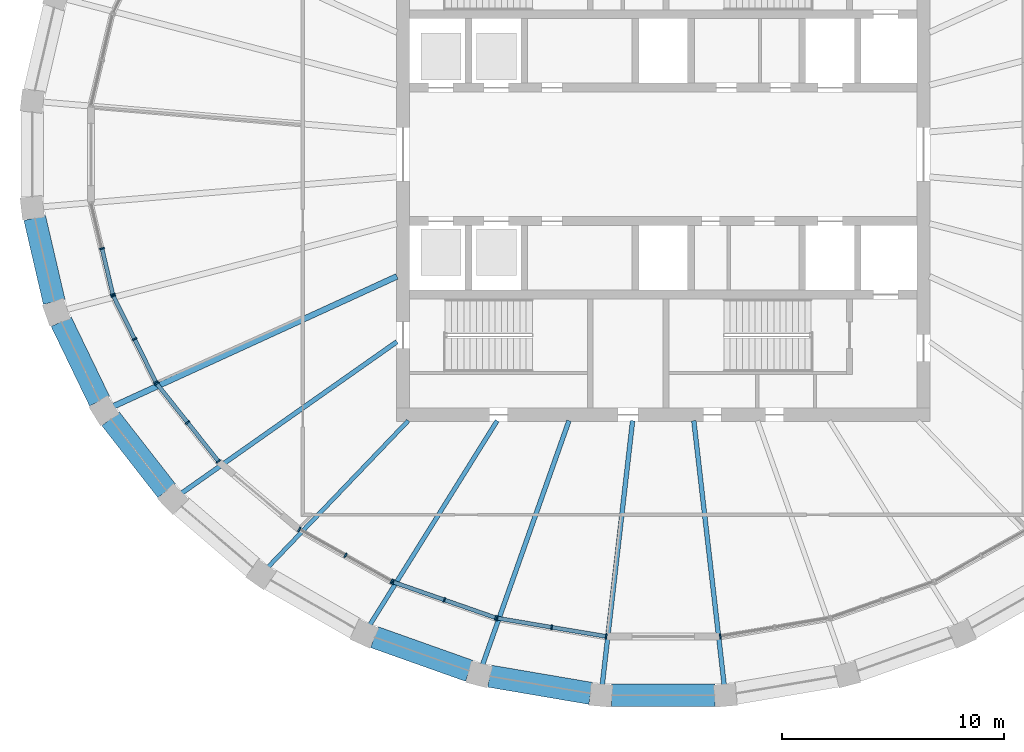
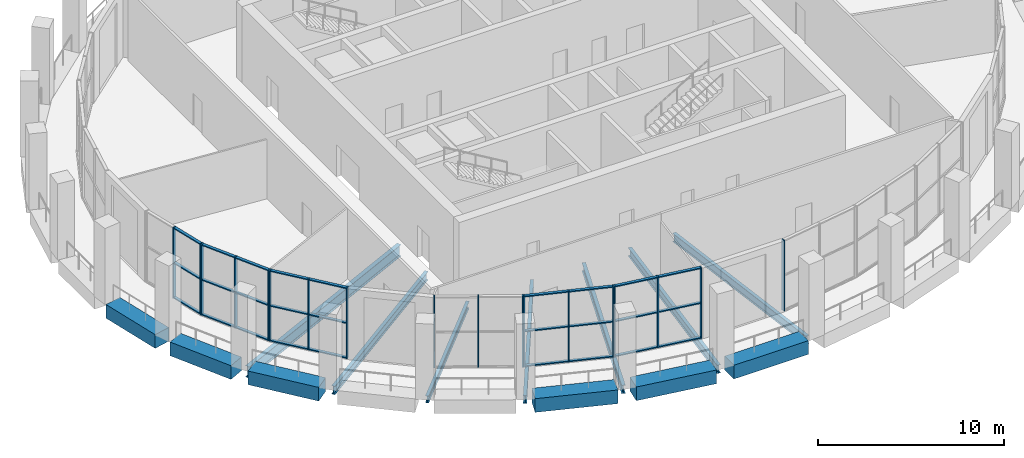
# One storey, part 2 of 16: 45 members, 13 beams, 7 elements without a shape of their own.
"""IFC4 building model written with IfcOpenShell, lengths in metres."""

from ifc_helpers import new_model, si_unit, direction, frame, origin, origin_2d, place, context, subcontext, project, spatial, rectangle, i_section, extrude, material, material_profile, profile_set, type_object, element, aggregate, save


model = new_model("IFC4")

# Units and contexts
model_context = context("Model", 3, precision=1e-05, world=origin(), true_north=direction((0.0, 1.0)))
body_context = subcontext(model_context, "Body", "Model", "MODEL_VIEW")
ifc_project = project(units=[si_unit("LENGTHUNIT", "METRE"), si_unit("AREAUNIT", "SQUARE_METRE"), si_unit("VOLUMEUNIT", "CUBIC_METRE"), si_unit("PLANEANGLEUNIT", "RADIAN"), si_unit("MASSUNIT", "GRAM", prefix="KILO")], contexts=[model_context])

# Site, building, storey
site_placement = place(None, origin())
site = spatial("IfcSite", under=ifc_project, at=site_placement, CompositionType="ELEMENT")
building_placement = place(site_placement, origin())
building = spatial("IfcBuilding", under=site, at=building_placement, Name="Halqa Exchange Tower", CompositionType="ELEMENT")
storey_placement = place(building_placement, frame((0.0, 0.0, 333.300048828125)))
storey = spatial("IfcBuildingStorey", under=building, at=storey_placement, Name="L78", CompositionType="ELEMENT", Elevation=333.300048828125)

# Beams
ifc_material_1 = material(Name="Steel S355", Category="steel")
ifc_material_profile_1 = material_profile(ifc_material_1, i_section(OverallWidth=0.18994140625, OverallDepth=0.449951171875, WebThickness=0.009521484375, FlangeThickness=0.0146484375, FilletRadius=0.02099609375, at=origin_2d()), Name="IPE 450")
ifc_profile_set_1 = profile_set([ifc_material_profile_1], Name="Steel S355")
beam_type_1 = type_object("IfcBeamType", Name="Floor beam IPE 450", PredefinedType="BEAM", material=ifc_profile_set_1)
beam_1_placement = place(storey_placement, frame((-11.462890625, -11.97216796875, -0.574951171875), z_axis=(-0.6915759213, -0.722303776175, 0.0), x_axis=(0.722303776175, -0.6915759213, 0.0)))
element("IfcBeam", 1, at=beam_1_placement, inside=storey, type_object=beam_type_1, Name="Radial beam 21", PredefinedType="BEAM", context=body_context, shape_type="SweptSolid", body=[
    extrude(i_section(OverallWidth=0.18994140625, OverallDepth=0.449951171875, WebThickness=0.009521484375, FlangeThickness=0.0146484375, FilletRadius=0.02099609375, at=origin_2d()), origin(), (0.0, 0.0, 1.0), 9.192626953125),
])
ifc_material_profile_2 = material_profile(ifc_material_1, i_section(OverallWidth=0.199951171875, OverallDepth=0.5, WebThickness=0.01025390625, FlangeThickness=0.01611328125, FilletRadius=0.02099609375, at=origin_2d()), Name="IPE 500")
ifc_profile_set_2 = profile_set([ifc_material_profile_2], Name="Steel S355")
beam_type_2 = type_object("IfcBeamType", Name="Floor beam IPE 500", PredefinedType="BEAM", material=ifc_profile_set_2)
beam_2_placement = place(storey_placement, frame((-7.4658203125, -11.97216796875, -0.60009765625), z_axis=(-0.529137326003, -0.848536204431, 0.0), x_axis=(0.848536204431, -0.529137326003, 0.0)))
element("IfcBeam", 2, at=beam_2_placement, inside=storey, type_object=beam_type_2, Name="Radial beam 22", PredefinedType="BEAM", context=body_context, shape_type="SweptSolid", body=[
    extrude(i_section(OverallWidth=0.199951171875, OverallDepth=0.5, WebThickness=0.01025390625, FlangeThickness=0.01611328125, FilletRadius=0.02099609375, at=origin_2d()), origin(), (0.0, 0.0, 1.0), 10.904541015625),
])
ifc_material_profile_3 = material_profile(ifc_material_1, i_section(OverallWidth=0.2099609375, OverallDepth=0.550048828125, WebThickness=0.010986328125, FlangeThickness=0.01708984375, FilletRadius=0.02392578125, at=origin_2d()), Name="IPE 550")
ifc_profile_set_3 = profile_set([ifc_material_profile_3], Name="Steel S355")
beam_type_3 = type_object("IfcBeamType", Name="Floor beam IPE 550", PredefinedType="BEAM", material=ifc_profile_set_3)
beam_3_placement = place(storey_placement, frame((-11.97265625, -8.422119140625, -0.625), z_axis=(-0.817914568296, -0.57533969007, 0.0), x_axis=(0.57533969007, -0.817914568296, 0.0)))
element("IfcBeam", 3, at=beam_3_placement, inside=storey, type_object=beam_type_3, Name="Radial beam 20", PredefinedType="BEAM", context=body_context, shape_type="SweptSolid", body=[
    extrude(i_section(OverallWidth=0.2099609375, OverallDepth=0.550048828125, WebThickness=0.010986328125, FlangeThickness=0.01708984375, FilletRadius=0.02392578125, at=origin_2d()), origin(), (0.0, 0.0, 1.0), 11.92138671875),
])
beam_4_placement = place(storey_placement, frame((-4.23681640625, -11.971923828125, -0.625), z_axis=(-0.333622781905, -0.942706656067, 0.0), x_axis=(0.942706656067, -0.333622781905, 0.0)))
element("IfcBeam", 4, at=beam_4_placement, inside=storey, type_object=beam_type_3, Name="Radial beam 23", PredefinedType="BEAM", context=body_context, shape_type="SweptSolid", body=[
    extrude(i_section(OverallWidth=0.2099609375, OverallDepth=0.550048828125, WebThickness=0.010986328125, FlangeThickness=0.01708984375, FilletRadius=0.02392578125, at=origin_2d()), origin(), (0.0, 0.0, 1.0), 11.723876953125),
])
for number, where, z_axis, x_axis, name in (
    (5, (-1.37548828125, -11.9716796875, -0.625), (-0.114162628095, -0.993462074941, 0.0), (0.993462074941, -0.114162628095, 0.0), "Radial beam 24"),
    (6, (1.37548828125, -11.9716796875, -0.625), (0.114162628095, -0.993462074941, 0.0), (0.993462074941, 0.114162628095, 0.0), "Radial beam 25"),
):
    element("IfcBeam", number, at=place(storey_placement, frame(where, z_axis=z_axis, x_axis=x_axis)), inside=storey, type_object=beam_type_3, Name=name, PredefinedType="BEAM", context=body_context, shape_type="SweptSolid", body=[
        extrude(i_section(OverallWidth=0.2099609375, OverallDepth=0.550048828125, WebThickness=0.010986328125, FlangeThickness=0.01708984375, FilletRadius=0.02392578125, at=origin_2d()), origin(), (0.0, 0.0, 1.0), 12.048583984375),
    ])
ifc_material_profile_4 = material_profile(ifc_material_1, i_section(OverallWidth=0.264892578125, OverallDepth=0.7529296875, WebThickness=0.01318359375, FlangeThickness=0.01708984375, FilletRadius=0.01708984375, at=origin_2d()), Name="IPE 750x147")
ifc_profile_set_4 = profile_set([ifc_material_profile_4], Name="Steel S355")
beam_type_4 = type_object("IfcBeamType", Name="Floor beam IPE 750x147", PredefinedType="BEAM", material=ifc_profile_set_4)
beam_5_placement = place(storey_placement, frame((-11.972412109375, -5.485107421875, -0.7265625), z_axis=(-0.909126834486, -0.416519385884, 0.0), x_axis=(0.416519385884, -0.909126834486, 0.0)))
element("IfcBeam", 7, at=beam_5_placement, inside=storey, type_object=beam_type_4, Name="Radial beam 19", PredefinedType="BEAM", context=body_context, shape_type="SweptSolid", body=[
    extrude(i_section(OverallWidth=0.264892578125, OverallDepth=0.7529296875, WebThickness=0.01318359375, FlangeThickness=0.01708984375, FilletRadius=0.01708984375, at=origin_2d()), origin(), (0.0, 0.0, 1.0), 14.10205078125),
])
ifc_material_2 = material(Name="Concrete C60/75", Category="concrete")
ifc_material_profile_5 = material_profile(ifc_material_2, rectangle(XDim=1.0, YDim=0.89990234375, at=origin_2d()), Name="1000 x 900")
ifc_profile_set_5 = profile_set([ifc_material_profile_5], Name="Concrete C60/75")
beam_type_5 = type_object("IfcBeamType", Name="RC spandrel beam 1000 x 900 C60/75", PredefinedType="SPANDREL", material=ifc_profile_set_5)
beam_6_placement = place(storey_placement, frame((-28.25537109375, -2.857177734375, -0.449951171875), z_axis=(0.226093384766, -0.974105631523, 0.0), x_axis=(0.974105631523, 0.226093384766, 0.0)))
element("IfcBeam", 8, at=beam_6_placement, inside=storey, type_object=beam_type_5, Name="Spandrel 17", PredefinedType="SPANDREL", context=body_context, shape_type="SweptSolid", body=[
    extrude(rectangle(XDim=1.0, YDim=0.89990234375, at=origin_2d()), origin(), (0.0, 0.0, 1.0), 3.872314453125),
])
beam_7_placement = place(storey_placement, frame((-27.06591796875, -7.519287109375, -0.449951171875), z_axis=(0.43505216676, -0.900405248873, 0.0), x_axis=(0.900405248873, 0.43505216676, 0.0)))
element("IfcBeam", 9, at=beam_7_placement, inside=storey, type_object=beam_type_5, Name="Spandrel 18", PredefinedType="SPANDREL", context=body_context, shape_type="SweptSolid", body=[
    extrude(rectangle(XDim=1.0, YDim=0.89990234375, at=origin_2d()), origin(), (0.0, 0.0, 1.0), 3.964111328125),
])
beam_8_placement = place(storey_placement, frame((-24.8427734375, -11.89013671875, -0.449951171875), z_axis=(0.61480594236, -0.788678421943, 0.0), x_axis=(0.788678421943, 0.61480594236, 0.0)))
element("IfcBeam", 10, at=beam_8_placement, inside=storey, type_object=beam_type_5, Name="Spandrel 19", PredefinedType="SPANDREL", context=body_context, shape_type="SweptSolid", body=[
    extrude(rectangle(XDim=1.0, YDim=0.89990234375, at=origin_2d()), origin(), (0.0, 0.0, 1.0), 4.10009765625),
])
beam_9_placement = place(storey_placement, frame((-12.98828125, -21.70263671875, -0.449951171875), z_axis=(0.94236088808, -0.334598201755, 0.0), x_axis=(0.334598201755, 0.94236088808, 0.0)))
element("IfcBeam", 11, at=beam_9_placement, inside=storey, type_object=beam_type_5, Name="Spandrel 22", PredefinedType="SPANDREL", context=body_context, shape_type="SweptSolid", body=[
    extrude(rectangle(XDim=1.0, YDim=0.89990234375, at=origin_2d()), origin(), (0.0, 0.0, 1.0), 4.530517578125),
])
beam_10_placement = place(storey_placement, frame((-7.805419921875, -23.456298828125, -0.449951171875), z_axis=(0.985773042695, -0.168081849987, 0.0), x_axis=(0.168081849987, 0.985773042695, 0.0)))
element("IfcBeam", 12, at=beam_10_placement, inside=storey, type_object=beam_type_5, Name="Spandrel 23", PredefinedType="SPANDREL", context=body_context, shape_type="SweptSolid", body=[
    extrude(rectangle(XDim=1.0, YDim=0.89990234375, at=origin_2d()), origin(), (0.0, 0.0, 1.0), 4.6103515625),
])
beam_11_placement = place(storey_placement, frame((-2.319580078125, -24.31103515625, -0.449951171875), z_axis=(1.0, 0.0, 0.0), x_axis=(0.0, 1.0, 0.0)))
element("IfcBeam", 13, at=beam_11_placement, inside=storey, type_object=beam_type_5, Name="Spandrel 24", PredefinedType="SPANDREL", context=body_context, shape_type="SweptSolid", body=[
    extrude(rectangle(XDim=1.0, YDim=0.89990234375, at=origin_2d()), origin(), (0.0, 0.0, 1.0), 4.63916015625),
])

# Curtain wall, members
ifc_material_3 = material(Name="Anodised aluminium and clear glass", Category="aluminium")
curtain_wall_type = type_object("IfcCurtainWallType", Name="Sky lobby glazing", PredefinedType="NOTDEFINED", material=ifc_material_3)
curtain_wall_1_placement = place(storey_placement, origin())
curtain_wall_1 = element("IfcCurtainWall", 14, at=curtain_wall_1_placement, inside=storey, type_object=curtain_wall_type, Name="Sky lobby glazing run G17", PredefinedType="NOTDEFINED")
ifc_material_4 = material(Name="Anodised aluminium", Category="aluminium")
ifc_material_profile_6 = material_profile(ifc_material_4, rectangle(XDim=0.219970703125, YDim=0.070068359375, at=origin_2d()), Name="AL 70x220")
ifc_profile_set_6 = profile_set([ifc_material_profile_6], Name="Anodised aluminium")
member_type_1 = type_object("IfcMemberType", Name="Sky lobby glazing mullion 70 x 220", PredefinedType="MULLION", material=ifc_profile_set_6)
member_1_placement = place(storey_placement, frame((-25.23095703125, -4.2333984375, 0.0), z_axis=(0.0, 0.0, 1.0), x_axis=(0.97319169906, 0.229995471437, 0.0)))
member_1 = element("IfcMember", 15, at=member_1_placement, type_object=member_type_1, Name="G17 mullion 2", PredefinedType="MULLION", context=body_context, shape_type="SweptSolid", body=[
    extrude(rectangle(XDim=0.219970703125, YDim=0.070068359375, at=origin_2d()), origin(), (0.0, 0.0, 1.0), 4.64990234375),
])
member_2_placement = place(storey_placement, frame((-24.74365234375, -6.29541015625, 0.0), z_axis=(0.0, 0.0, 1.0), x_axis=(0.97319169906, 0.229995471437, 0.0)))
member_2 = element("IfcMember", 16, at=member_2_placement, type_object=member_type_1, Name="G17 mullion 3", PredefinedType="MULLION", context=body_context, shape_type="SweptSolid", body=[
    extrude(rectangle(XDim=0.219970703125, YDim=0.070068359375, at=origin_2d()), origin(), (0.0, 0.0, 1.0), 4.64990234375),
])

curtain_wall_2_placement = place(storey_placement, origin())
curtain_wall_2 = element("IfcCurtainWall", 17, at=curtain_wall_2_placement, inside=storey, type_object=curtain_wall_type, Name="Sky lobby glazing run G18", PredefinedType="NOTDEFINED")
member_3_placement = place(storey_placement, frame((-24.719970703125, -6.36083984375, 0.0), z_axis=(0.0, 0.0, 1.0), x_axis=(0.897214741349, 0.441594506199, 0.0)))
member_3 = element("IfcMember", 18, at=member_3_placement, type_object=member_type_1, Name="G18 mullion 1", PredefinedType="MULLION", context=body_context, shape_type="SweptSolid", body=[
    extrude(rectangle(XDim=0.219970703125, YDim=0.070068359375, at=origin_2d()), origin(), (0.0, 0.0, 1.0), 4.64990234375),
])
member_4_placement = place(storey_placement, frame((-23.76416015625, -8.302978515625, 0.0), z_axis=(0.0, 0.0, 1.0), x_axis=(0.897214741349, 0.441594506199, 0.0)))
member_4 = element("IfcMember", 19, at=member_4_placement, type_object=member_type_1, Name="G18 mullion 2", PredefinedType="MULLION", context=body_context, shape_type="SweptSolid", body=[
    extrude(rectangle(XDim=0.219970703125, YDim=0.070068359375, at=origin_2d()), origin(), (0.0, 0.0, 1.0), 4.64990234375),
])
member_5_placement = place(storey_placement, frame((-22.808349609375, -10.2451171875, 0.0), z_axis=(0.0, 0.0, 1.0), x_axis=(0.897214741349, 0.441594506199, 0.0)))
member_5 = element("IfcMember", 20, at=member_5_placement, type_object=member_type_1, Name="G18 mullion 3", PredefinedType="MULLION", context=body_context, shape_type="SweptSolid", body=[
    extrude(rectangle(XDim=0.219970703125, YDim=0.070068359375, at=origin_2d()), origin(), (0.0, 0.0, 1.0), 4.64990234375),
])

curtain_wall_3_placement = place(storey_placement, origin())
curtain_wall_3 = element("IfcCurtainWall", 21, at=curtain_wall_3_placement, inside=storey, type_object=curtain_wall_type, Name="Sky lobby glazing run G19", PredefinedType="NOTDEFINED")
member_6_placement = place(storey_placement, frame((-22.771240234375, -10.3037109375, 0.0), z_axis=(0.0, 0.0, 1.0), x_axis=(0.783162355834, 0.621817275737, 0.0)))
member_6 = element("IfcMember", 22, at=member_6_placement, type_object=member_type_1, Name="G19 mullion 1", PredefinedType="MULLION", context=body_context, shape_type="SweptSolid", body=[
    extrude(rectangle(XDim=0.219970703125, YDim=0.070068359375, at=origin_2d()), origin(), (0.0, 0.0, 1.0), 4.64990234375),
])
member_7_placement = place(storey_placement, frame((-21.3837890625, -12.05126953125, 0.0), z_axis=(0.0, 0.0, 1.0), x_axis=(0.783162355834, 0.621817275737, 0.0)))
member_7 = element("IfcMember", 23, at=member_7_placement, type_object=member_type_1, Name="G19 mullion 2", PredefinedType="MULLION", context=body_context, shape_type="SweptSolid", body=[
    extrude(rectangle(XDim=0.219970703125, YDim=0.070068359375, at=origin_2d()), origin(), (0.0, 0.0, 1.0), 4.64990234375),
])
member_8_placement = place(storey_placement, frame((-19.996337890625, -13.798583984375, 0.0), z_axis=(0.0, 0.0, 1.0), x_axis=(0.783162355834, 0.621817275737, 0.0)))
member_8 = element("IfcMember", 24, at=member_8_placement, type_object=member_type_1, Name="G19 mullion 3", PredefinedType="MULLION", context=body_context, shape_type="SweptSolid", body=[
    extrude(rectangle(XDim=0.219970703125, YDim=0.070068359375, at=origin_2d()), origin(), (0.0, 0.0, 1.0), 4.64990234375),
])

curtain_wall_4_placement = place(storey_placement, origin())
curtain_wall_4 = element("IfcCurtainWall", 25, at=curtain_wall_4_placement, inside=storey, type_object=curtain_wall_type, Name="Sky lobby glazing run G21", PredefinedType="NOTDEFINED")
member_9_placement = place(storey_placement, frame((-16.359130859375, -16.860107421875, 0.0), z_axis=(0.0, 0.0, 1.0), x_axis=(0.490158094997, 0.871633547948, 0.0)))
member_9 = element("IfcMember", 26, at=member_9_placement, type_object=member_type_1, Name="G21 mullion 1", PredefinedType="MULLION", context=body_context, shape_type="SweptSolid", body=[
    extrude(rectangle(XDim=0.219970703125, YDim=0.070068359375, at=origin_2d()), origin(), (0.0, 0.0, 1.0), 4.64990234375),
])
member_10_placement = place(storey_placement, frame((-14.283203125, -18.02734375, 0.0), z_axis=(0.0, 0.0, 1.0), x_axis=(0.490158094997, 0.871633547948, 0.0)))
member_10 = element("IfcMember", 27, at=member_10_placement, type_object=member_type_1, Name="G21 mullion 2", PredefinedType="MULLION", context=body_context, shape_type="SweptSolid", body=[
    extrude(rectangle(XDim=0.219970703125, YDim=0.070068359375, at=origin_2d()), origin(), (0.0, 0.0, 1.0), 4.64990234375),
])
member_11_placement = place(storey_placement, frame((-12.207275390625, -19.19482421875, 0.0), z_axis=(0.0, 0.0, 1.0), x_axis=(0.490158094997, 0.871633547948, 0.0)))
member_11 = element("IfcMember", 28, at=member_11_placement, type_object=member_type_1, Name="G21 mullion 3", PredefinedType="MULLION", context=body_context, shape_type="SweptSolid", body=[
    extrude(rectangle(XDim=0.219970703125, YDim=0.070068359375, at=origin_2d()), origin(), (0.0, 0.0, 1.0), 4.64990234375),
])
aggregate(curtain_wall_4, [member_9, member_10, member_11])

curtain_wall_5_placement = place(storey_placement, origin())
curtain_wall_5 = element("IfcCurtainWall", 29, at=curtain_wall_5_placement, inside=storey, type_object=curtain_wall_type, Name="Sky lobby glazing run G22", PredefinedType="NOTDEFINED")
member_12_placement = place(storey_placement, frame((-12.143798828125, -19.2236328125, 0.0), z_axis=(0.0, 0.0, 1.0), x_axis=(0.329160021888, 0.9442741551, 0.0)))
member_12 = element("IfcMember", 30, at=member_12_placement, type_object=member_type_1, Name="G22 mullion 1", PredefinedType="MULLION", context=body_context, shape_type="SweptSolid", body=[
    extrude(rectangle(XDim=0.219970703125, YDim=0.070068359375, at=origin_2d()), origin(), (0.0, 0.0, 1.0), 4.64990234375),
])
member_13_placement = place(storey_placement, frame((-9.837158203125, -20.027587890625, 0.0), z_axis=(0.0, 0.0, 1.0), x_axis=(0.329160021888, 0.9442741551, 0.0)))
member_13 = element("IfcMember", 31, at=member_13_placement, type_object=member_type_1, Name="G22 mullion 2", PredefinedType="MULLION", context=body_context, shape_type="SweptSolid", body=[
    extrude(rectangle(XDim=0.219970703125, YDim=0.070068359375, at=origin_2d()), origin(), (0.0, 0.0, 1.0), 4.64990234375),
])
member_14_placement = place(storey_placement, frame((-7.53076171875, -20.83154296875, 0.0), z_axis=(0.0, 0.0, 1.0), x_axis=(0.329160021888, 0.9442741551, 0.0)))
member_14 = element("IfcMember", 32, at=member_14_placement, type_object=member_type_1, Name="G22 mullion 3", PredefinedType="MULLION", context=body_context, shape_type="SweptSolid", body=[
    extrude(rectangle(XDim=0.219970703125, YDim=0.070068359375, at=origin_2d()), origin(), (0.0, 0.0, 1.0), 4.64990234375),
])

curtain_wall_6_placement = place(storey_placement, origin())
curtain_wall_6 = element("IfcCurtainWall", 33, at=curtain_wall_6_placement, inside=storey, type_object=curtain_wall_type, Name="Sky lobby glazing run G23", PredefinedType="NOTDEFINED")
member_15_placement = place(storey_placement, frame((-7.463134765625, -20.848876953125, 0.0), z_axis=(0.0, 0.0, 1.0), x_axis=(0.165117129007, 0.986273964834, 0.0)))
member_15 = element("IfcMember", 34, at=member_15_placement, type_object=member_type_1, Name="G23 mullion 1", PredefinedType="MULLION", context=body_context, shape_type="SweptSolid", body=[
    extrude(rectangle(XDim=0.219970703125, YDim=0.070068359375, at=origin_2d()), origin(), (0.0, 0.0, 1.0), 4.64990234375),
])
member_16_placement = place(storey_placement, frame((-5.0146484375, -21.2587890625, 0.0), z_axis=(0.0, 0.0, 1.0), x_axis=(0.165117129007, 0.986273964834, 0.0)))
member_16 = element("IfcMember", 35, at=member_16_placement, type_object=member_type_1, Name="G23 mullion 2", PredefinedType="MULLION", context=body_context, shape_type="SweptSolid", body=[
    extrude(rectangle(XDim=0.219970703125, YDim=0.070068359375, at=origin_2d()), origin(), (0.0, 0.0, 1.0), 4.64990234375),
])
member_17_placement = place(storey_placement, frame((-2.56591796875, -21.668701171875, 0.0), z_axis=(0.0, 0.0, 1.0), x_axis=(0.165117129007, 0.986273964834, 0.0)))
member_17 = element("IfcMember", 36, at=member_17_placement, type_object=member_type_1, Name="G23 mullion 3", PredefinedType="MULLION", context=body_context, shape_type="SweptSolid", body=[
    extrude(rectangle(XDim=0.219970703125, YDim=0.070068359375, at=origin_2d()), origin(), (0.0, 0.0, 1.0), 4.64990234375),
])

# Curtain wall, member
curtain_wall_7_placement = place(storey_placement, origin())
curtain_wall_7 = element("IfcCurtainWall", 37, at=curtain_wall_7_placement, inside=storey, type_object=curtain_wall_type, Name="Sky lobby glazing run G25", PredefinedType="NOTDEFINED")
member_18_placement = place(storey_placement, frame((2.56591796875, -21.668701171875, 0.0), z_axis=(0.0, 0.0, 1.0), x_axis=(-0.165117129007, 0.986273964834, 0.0)))
member_18 = element("IfcMember", 38, at=member_18_placement, type_object=member_type_1, Name="G25 mullion 1", PredefinedType="MULLION", context=body_context, shape_type="SweptSolid", body=[
    extrude(rectangle(XDim=0.219970703125, YDim=0.070068359375, at=origin_2d()), origin(), (0.0, 0.0, 1.0), 4.64990234375),
])
aggregate(curtain_wall_7, [member_18])

# Member
ifc_material_profile_7 = material_profile(ifc_material_4, rectangle(XDim=0.179931640625, YDim=0.070068359375, at=origin_2d()), Name="AL 70x180")
ifc_profile_set_7 = profile_set([ifc_material_profile_7], Name="Anodised aluminium")
member_type_2 = type_object("IfcMemberType", Name="Sky lobby glazing transom 70 x 180", PredefinedType="USERDEFINED", material=ifc_profile_set_7)
member_19_placement = place(storey_placement, frame((-25.222900390625, -4.267578125, 0.034912109375), z_axis=(0.229982362929, -0.973194796914, 0.0), x_axis=(0.973194796914, 0.229982362929, 0.0)))
member_19 = element("IfcMember", 39, at=member_19_placement, type_object=member_type_2, Name="G17 transom 2.1", ObjectType="TRANSOM", PredefinedType="USERDEFINED", context=body_context, shape_type="SweptSolid", body=[
    extrude(rectangle(XDim=0.179931640625, YDim=0.070068359375, at=origin_2d()), origin(), (0.0, 0.0, 1.0), 2.048828125),
])

member_20_placement = place(storey_placement, frame((-25.222900390625, -4.267578125, 2.324951171875), z_axis=(0.229982362929, -0.973194796914, 0.0), x_axis=(0.973194796914, 0.229982362929, 0.0)))
member_20 = element("IfcMember", 40, at=member_20_placement, type_object=member_type_2, Name="G17 transom 2.2", ObjectType="TRANSOM", PredefinedType="USERDEFINED", context=body_context, shape_type="SweptSolid", body=[
    extrude(rectangle(XDim=0.179931640625, YDim=0.070068359375, at=origin_2d()), origin(), (0.0, 0.0, 1.0), 2.048828125),
])

member_21_placement = place(storey_placement, frame((-25.222900390625, -4.267578125, 4.614990234375), z_axis=(0.229982362929, -0.973194796914, 0.0), x_axis=(0.973194796914, 0.229982362929, 0.0)))
member_21 = element("IfcMember", 41, at=member_21_placement, type_object=member_type_2, Name="G17 transom 2.3", ObjectType="TRANSOM", PredefinedType="USERDEFINED", context=body_context, shape_type="SweptSolid", body=[
    extrude(rectangle(XDim=0.179931640625, YDim=0.070068359375, at=origin_2d()), origin(), (0.0, 0.0, 1.0), 2.048828125),
])

aggregate(curtain_wall_1, [member_1, member_2, member_19, member_20, member_21])

member_22_placement = place(storey_placement, frame((-24.70458984375, -6.392333984375, 0.034912109375), z_axis=(0.441656599677, -0.89718417728, 0.0), x_axis=(0.89718417728, 0.441656599677, 0.0)))
member_22 = element("IfcMember", 42, at=member_22_placement, type_object=member_type_2, Name="G18 transom 1.1", ObjectType="TRANSOM", PredefinedType="USERDEFINED", context=body_context, shape_type="SweptSolid", body=[
    extrude(rectangle(XDim=0.179931640625, YDim=0.070068359375, at=origin_2d()), origin(), (0.0, 0.0, 1.0), 2.094482421875),
])

member_23_placement = place(storey_placement, frame((-24.70458984375, -6.392333984375, 2.324951171875), z_axis=(0.441656599677, -0.89718417728, 0.0), x_axis=(0.89718417728, 0.441656599677, 0.0)))
member_23 = element("IfcMember", 43, at=member_23_placement, type_object=member_type_2, Name="G18 transom 1.2", ObjectType="TRANSOM", PredefinedType="USERDEFINED", context=body_context, shape_type="SweptSolid", body=[
    extrude(rectangle(XDim=0.179931640625, YDim=0.070068359375, at=origin_2d()), origin(), (0.0, 0.0, 1.0), 2.094482421875),
])

member_24_placement = place(storey_placement, frame((-24.70458984375, -6.392333984375, 4.614990234375), z_axis=(0.441656599677, -0.89718417728, 0.0), x_axis=(0.89718417728, 0.441656599677, 0.0)))
member_24 = element("IfcMember", 44, at=member_24_placement, type_object=member_type_2, Name="G18 transom 1.3", ObjectType="TRANSOM", PredefinedType="USERDEFINED", context=body_context, shape_type="SweptSolid", body=[
    extrude(rectangle(XDim=0.179931640625, YDim=0.070068359375, at=origin_2d()), origin(), (0.0, 0.0, 1.0), 2.094482421875),
])

member_25_placement = place(storey_placement, frame((-23.748779296875, -8.33447265625, 0.034912109375), z_axis=(0.441656599677, -0.89718417728, 0.0), x_axis=(0.89718417728, 0.441656599677, 0.0)))
member_25 = element("IfcMember", 45, at=member_25_placement, type_object=member_type_2, Name="G18 transom 2.1", ObjectType="TRANSOM", PredefinedType="USERDEFINED", context=body_context, shape_type="SweptSolid", body=[
    extrude(rectangle(XDim=0.179931640625, YDim=0.070068359375, at=origin_2d()), origin(), (0.0, 0.0, 1.0), 2.094482421875),
])

member_26_placement = place(storey_placement, frame((-23.748779296875, -8.33447265625, 2.324951171875), z_axis=(0.441656599677, -0.89718417728, 0.0), x_axis=(0.89718417728, 0.441656599677, 0.0)))
member_26 = element("IfcMember", 46, at=member_26_placement, type_object=member_type_2, Name="G18 transom 2.2", ObjectType="TRANSOM", PredefinedType="USERDEFINED", context=body_context, shape_type="SweptSolid", body=[
    extrude(rectangle(XDim=0.179931640625, YDim=0.070068359375, at=origin_2d()), origin(), (0.0, 0.0, 1.0), 2.094482421875),
])

member_27_placement = place(storey_placement, frame((-23.748779296875, -8.33447265625, 4.614990234375), z_axis=(0.441656599677, -0.89718417728, 0.0), x_axis=(0.89718417728, 0.441656599677, 0.0)))
member_27 = element("IfcMember", 47, at=member_27_placement, type_object=member_type_2, Name="G18 transom 2.3", ObjectType="TRANSOM", PredefinedType="USERDEFINED", context=body_context, shape_type="SweptSolid", body=[
    extrude(rectangle(XDim=0.179931640625, YDim=0.070068359375, at=origin_2d()), origin(), (0.0, 0.0, 1.0), 2.094482421875),
])

aggregate(curtain_wall_2, [member_3, member_4, member_5, member_22, member_23, member_24, member_25, member_26, member_27])

member_28_placement = place(storey_placement, frame((-22.749267578125, -10.331298828125, 0.034912109375), z_axis=(0.621770069229, -0.78319983466, 0.0), x_axis=(0.78319983466, 0.621770069229, 0.0)))
member_28 = element("IfcMember", 48, at=member_28_placement, type_object=member_type_2, Name="G19 transom 1.1", ObjectType="TRANSOM", PredefinedType="USERDEFINED", context=body_context, shape_type="SweptSolid", body=[
    extrude(rectangle(XDim=0.179931640625, YDim=0.070068359375, at=origin_2d()), origin(), (0.0, 0.0, 1.0), 2.1611328125),
])

member_29_placement = place(storey_placement, frame((-22.749267578125, -10.331298828125, 2.324951171875), z_axis=(0.621770069229, -0.78319983466, 0.0), x_axis=(0.78319983466, 0.621770069229, 0.0)))
member_29 = element("IfcMember", 49, at=member_29_placement, type_object=member_type_2, Name="G19 transom 1.2", ObjectType="TRANSOM", PredefinedType="USERDEFINED", context=body_context, shape_type="SweptSolid", body=[
    extrude(rectangle(XDim=0.179931640625, YDim=0.070068359375, at=origin_2d()), origin(), (0.0, 0.0, 1.0), 2.1611328125),
])

member_30_placement = place(storey_placement, frame((-22.749267578125, -10.331298828125, 4.614990234375), z_axis=(0.621770069229, -0.78319983466, 0.0), x_axis=(0.78319983466, 0.621770069229, 0.0)))
member_30 = element("IfcMember", 50, at=member_30_placement, type_object=member_type_2, Name="G19 transom 1.3", ObjectType="TRANSOM", PredefinedType="USERDEFINED", context=body_context, shape_type="SweptSolid", body=[
    extrude(rectangle(XDim=0.179931640625, YDim=0.070068359375, at=origin_2d()), origin(), (0.0, 0.0, 1.0), 2.1611328125),
])

member_31_placement = place(storey_placement, frame((-21.36181640625, -12.07861328125, 0.034912109375), z_axis=(0.621770069229, -0.78319983466, 0.0), x_axis=(0.78319983466, 0.621770069229, 0.0)))
member_31 = element("IfcMember", 51, at=member_31_placement, type_object=member_type_2, Name="G19 transom 2.1", ObjectType="TRANSOM", PredefinedType="USERDEFINED", context=body_context, shape_type="SweptSolid", body=[
    extrude(rectangle(XDim=0.179931640625, YDim=0.070068359375, at=origin_2d()), origin(), (0.0, 0.0, 1.0), 2.1611328125),
])

member_32_placement = place(storey_placement, frame((-21.36181640625, -12.07861328125, 2.324951171875), z_axis=(0.621770069229, -0.78319983466, 0.0), x_axis=(0.78319983466, 0.621770069229, 0.0)))
member_32 = element("IfcMember", 52, at=member_32_placement, type_object=member_type_2, Name="G19 transom 2.2", ObjectType="TRANSOM", PredefinedType="USERDEFINED", context=body_context, shape_type="SweptSolid", body=[
    extrude(rectangle(XDim=0.179931640625, YDim=0.070068359375, at=origin_2d()), origin(), (0.0, 0.0, 1.0), 2.1611328125),
])

member_33_placement = place(storey_placement, frame((-21.36181640625, -12.07861328125, 4.614990234375), z_axis=(0.621770069229, -0.78319983466, 0.0), x_axis=(0.78319983466, 0.621770069229, 0.0)))
member_33 = element("IfcMember", 53, at=member_33_placement, type_object=member_type_2, Name="G19 transom 2.3", ObjectType="TRANSOM", PredefinedType="USERDEFINED", context=body_context, shape_type="SweptSolid", body=[
    extrude(rectangle(XDim=0.179931640625, YDim=0.070068359375, at=origin_2d()), origin(), (0.0, 0.0, 1.0), 2.1611328125),
])

aggregate(curtain_wall_3, [member_6, member_7, member_8, member_28, member_29, member_30, member_31, member_32, member_33])

member_34_placement = place(storey_placement, frame((-12.110595703125, -19.235107421875, 0.034912109375), z_axis=(0.94426193798, -0.329195067524, 0.0), x_axis=(0.329195067524, 0.94426193798, 0.0)))
member_34 = element("IfcMember", 54, at=member_34_placement, type_object=member_type_2, Name="G22 transom 1.1", ObjectType="TRANSOM", PredefinedType="USERDEFINED", context=body_context, shape_type="SweptSolid", body=[
    extrude(rectangle(XDim=0.179931640625, YDim=0.070068359375, at=origin_2d()), origin(), (0.0, 0.0, 1.0), 2.37255859375),
])

member_35_placement = place(storey_placement, frame((-12.110595703125, -19.235107421875, 2.324951171875), z_axis=(0.94426193798, -0.329195067524, 0.0), x_axis=(0.329195067524, 0.94426193798, 0.0)))
member_35 = element("IfcMember", 55, at=member_35_placement, type_object=member_type_2, Name="G22 transom 1.2", ObjectType="TRANSOM", PredefinedType="USERDEFINED", context=body_context, shape_type="SweptSolid", body=[
    extrude(rectangle(XDim=0.179931640625, YDim=0.070068359375, at=origin_2d()), origin(), (0.0, 0.0, 1.0), 2.37255859375),
])

member_36_placement = place(storey_placement, frame((-12.110595703125, -19.235107421875, 4.614990234375), z_axis=(0.94426193798, -0.329195067524, 0.0), x_axis=(0.329195067524, 0.94426193798, 0.0)))
member_36 = element("IfcMember", 56, at=member_36_placement, type_object=member_type_2, Name="G22 transom 1.3", ObjectType="TRANSOM", PredefinedType="USERDEFINED", context=body_context, shape_type="SweptSolid", body=[
    extrude(rectangle(XDim=0.179931640625, YDim=0.070068359375, at=origin_2d()), origin(), (0.0, 0.0, 1.0), 2.37255859375),
])

member_37_placement = place(storey_placement, frame((-9.80419921875, -20.0390625, 0.034912109375), z_axis=(0.944273088174, -0.329163082605, 0.0), x_axis=(0.329163082605, 0.944273088174, 0.0)))
member_37 = element("IfcMember", 57, at=member_37_placement, type_object=member_type_2, Name="G22 transom 2.1", ObjectType="TRANSOM", PredefinedType="USERDEFINED", context=body_context, shape_type="SweptSolid", body=[
    extrude(rectangle(XDim=0.179931640625, YDim=0.070068359375, at=origin_2d()), origin(), (0.0, 0.0, 1.0), 2.372802734375),
])

member_38_placement = place(storey_placement, frame((-9.80419921875, -20.0390625, 2.324951171875), z_axis=(0.944273088174, -0.329163082605, 0.0), x_axis=(0.329163082605, 0.944273088174, 0.0)))
member_38 = element("IfcMember", 58, at=member_38_placement, type_object=member_type_2, Name="G22 transom 2.2", ObjectType="TRANSOM", PredefinedType="USERDEFINED", context=body_context, shape_type="SweptSolid", body=[
    extrude(rectangle(XDim=0.179931640625, YDim=0.070068359375, at=origin_2d()), origin(), (0.0, 0.0, 1.0), 2.372802734375),
])

member_39_placement = place(storey_placement, frame((-9.80419921875, -20.0390625, 4.614990234375), z_axis=(0.944273088174, -0.329163082605, 0.0), x_axis=(0.329163082605, 0.944273088174, 0.0)))
member_39 = element("IfcMember", 59, at=member_39_placement, type_object=member_type_2, Name="G22 transom 2.3", ObjectType="TRANSOM", PredefinedType="USERDEFINED", context=body_context, shape_type="SweptSolid", body=[
    extrude(rectangle(XDim=0.179931640625, YDim=0.070068359375, at=origin_2d()), origin(), (0.0, 0.0, 1.0), 2.372802734375),
])

aggregate(curtain_wall_5, [member_12, member_13, member_14, member_34, member_35, member_36, member_37, member_38, member_39])

member_40_placement = place(storey_placement, frame((-7.428466796875, -20.854736328125, 0.034912109375), z_axis=(0.986284301217, -0.165055376081, 0.0), x_axis=(0.165055376081, 0.986284301217, 0.0)))
member_40 = element("IfcMember", 60, at=member_40_placement, type_object=member_type_2, Name="G23 transom 1.1", ObjectType="TRANSOM", PredefinedType="USERDEFINED", context=body_context, shape_type="SweptSolid", body=[
    extrude(rectangle(XDim=0.179931640625, YDim=0.070068359375, at=origin_2d()), origin(), (0.0, 0.0, 1.0), 2.41259765625),
])

member_41_placement = place(storey_placement, frame((-7.428466796875, -20.854736328125, 2.324951171875), z_axis=(0.986284301217, -0.165055376081, 0.0), x_axis=(0.165055376081, 0.986284301217, 0.0)))
member_41 = element("IfcMember", 61, at=member_41_placement, type_object=member_type_2, Name="G23 transom 1.2", ObjectType="TRANSOM", PredefinedType="USERDEFINED", context=body_context, shape_type="SweptSolid", body=[
    extrude(rectangle(XDim=0.179931640625, YDim=0.070068359375, at=origin_2d()), origin(), (0.0, 0.0, 1.0), 2.41259765625),
])

member_42_placement = place(storey_placement, frame((-7.428466796875, -20.854736328125, 4.614990234375), z_axis=(0.986284301217, -0.165055376081, 0.0), x_axis=(0.165055376081, 0.986284301217, 0.0)))
member_42 = element("IfcMember", 62, at=member_42_placement, type_object=member_type_2, Name="G23 transom 1.3", ObjectType="TRANSOM", PredefinedType="USERDEFINED", context=body_context, shape_type="SweptSolid", body=[
    extrude(rectangle(XDim=0.179931640625, YDim=0.070068359375, at=origin_2d()), origin(), (0.0, 0.0, 1.0), 2.41259765625),
])

member_43_placement = place(storey_placement, frame((-4.97998046875, -21.2646484375, 0.034912109375), z_axis=(0.986284301217, -0.165055376081, 0.0), x_axis=(0.165055376081, 0.986284301217, 0.0)))
member_43 = element("IfcMember", 63, at=member_43_placement, type_object=member_type_2, Name="G23 transom 2.1", ObjectType="TRANSOM", PredefinedType="USERDEFINED", context=body_context, shape_type="SweptSolid", body=[
    extrude(rectangle(XDim=0.179931640625, YDim=0.070068359375, at=origin_2d()), origin(), (0.0, 0.0, 1.0), 2.41259765625),
])

member_44_placement = place(storey_placement, frame((-4.97998046875, -21.2646484375, 2.324951171875), z_axis=(0.986284301217, -0.165055376081, 0.0), x_axis=(0.165055376081, 0.986284301217, 0.0)))
member_44 = element("IfcMember", 64, at=member_44_placement, type_object=member_type_2, Name="G23 transom 2.2", ObjectType="TRANSOM", PredefinedType="USERDEFINED", context=body_context, shape_type="SweptSolid", body=[
    extrude(rectangle(XDim=0.179931640625, YDim=0.070068359375, at=origin_2d()), origin(), (0.0, 0.0, 1.0), 2.41259765625),
])

member_45_placement = place(storey_placement, frame((-4.97998046875, -21.2646484375, 4.614990234375), z_axis=(0.986284301217, -0.165055376081, 0.0), x_axis=(0.165055376081, 0.986284301217, 0.0)))
member_45 = element("IfcMember", 65, at=member_45_placement, type_object=member_type_2, Name="G23 transom 2.3", ObjectType="TRANSOM", PredefinedType="USERDEFINED", context=body_context, shape_type="SweptSolid", body=[
    extrude(rectangle(XDim=0.179931640625, YDim=0.070068359375, at=origin_2d()), origin(), (0.0, 0.0, 1.0), 2.41259765625),
])

aggregate(curtain_wall_6, [member_15, member_16, member_17, member_40, member_41, member_42, member_43, member_44, member_45])

save(model, "model.ifc")
